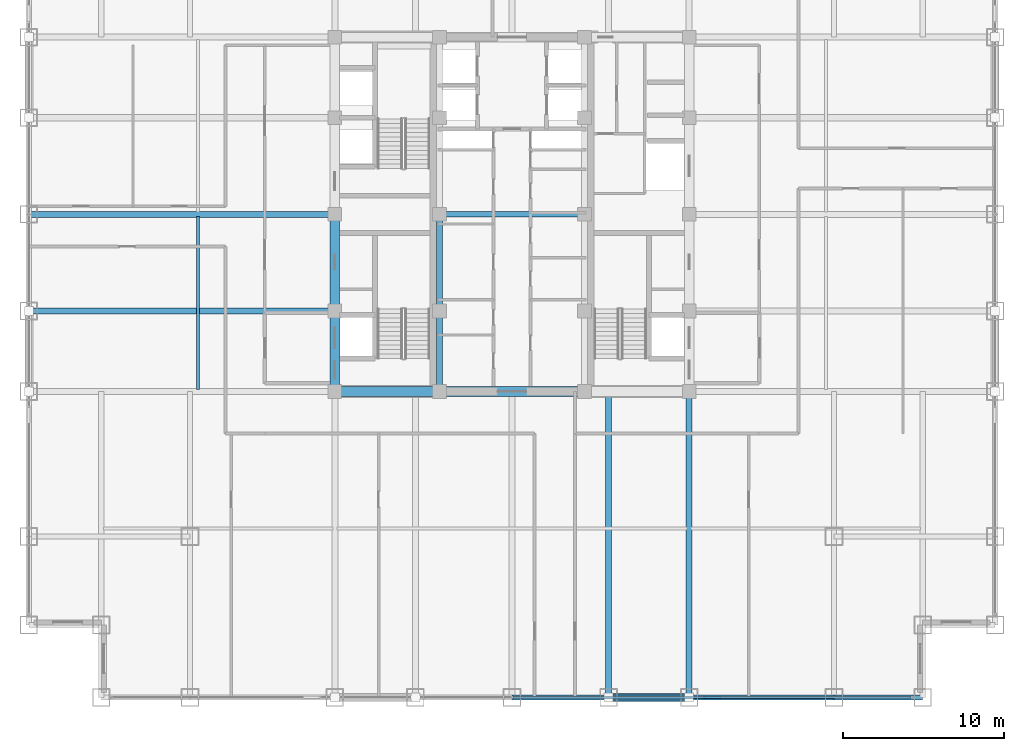
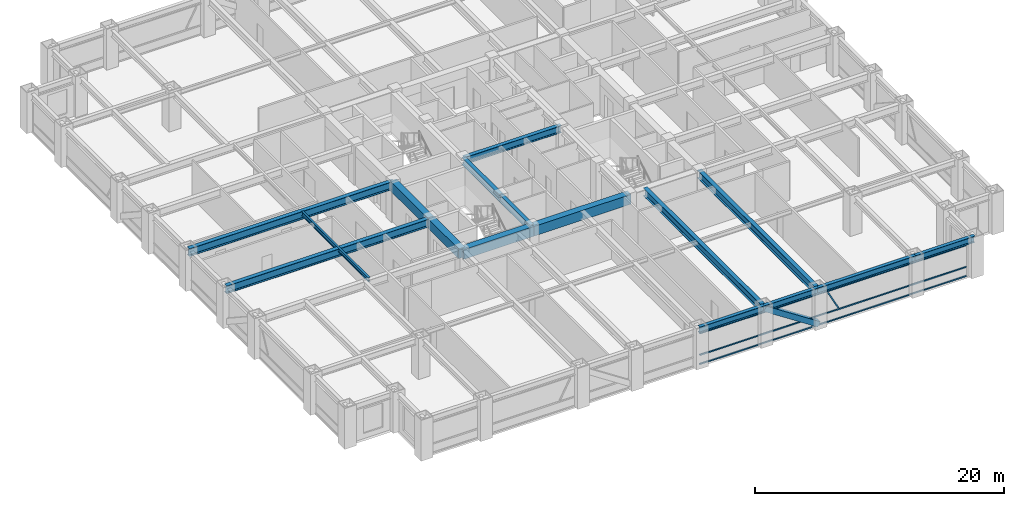
# One storey, part 7 of 24: 16 beams, 5 members, 1 element without a shape of its own.
"""IFC4 building model written with IfcOpenShell, lengths in metres."""

from ifc_helpers import new_model, si_unit, direction, frame, origin, origin_2d, place, context, subcontext, project, spatial, rectangle, hollow_rectangle, i_section, extrude, source, transform, mapped, material, material_profile, profile_set, type_object, element, aggregate, save


model = new_model("IFC4")

# Units and contexts
model_context = context("Model", 3, precision=1e-05, world=origin(), true_north=direction((0.0, 1.0)))
body_context = subcontext(model_context, "Body", "Model", "MODEL_VIEW")
ifc_project = project(units=[si_unit("LENGTHUNIT", "METRE"), si_unit("AREAUNIT", "SQUARE_METRE"), si_unit("VOLUMEUNIT", "CUBIC_METRE"), si_unit("PLANEANGLEUNIT", "RADIAN"), si_unit("MASSUNIT", "GRAM", prefix="KILO")], contexts=[model_context])

# Site, building, storey
site_placement = place(None, origin())
site = spatial("IfcSite", under=ifc_project, at=site_placement, CompositionType="ELEMENT")
building_placement = place(site_placement, origin())
building = spatial("IfcBuilding", under=site, at=building_placement, Name="Khorayat Bourse Tower", CompositionType="ELEMENT")
storey_placement = place(building_placement, frame((0.0, 0.0, 203.10009765625)))
storey = spatial("IfcBuildingStorey", under=building, at=storey_placement, Name="L47", CompositionType="ELEMENT", Elevation=203.10009765625)

# Beams
ifc_material_1 = material(Name="Steel ASTM A992 Grade 50", Category="steel")
ifc_material_profile_1 = material_profile(ifc_material_1, i_section(OverallWidth=0.35498046875, OverallDepth=0.695068359375, WebThickness=0.015380859375, FlangeThickness=0.02490234375, FilletRadius=0.01806640625, at=origin_2d()), Name="W690X217")
ifc_profile_set_1 = profile_set([ifc_material_profile_1], Name="Steel ASTM A992 Grade 50")
beam_type_1 = type_object("IfcBeamType", Name="BM-GIRD-690", PredefinedType="BEAM", material=ifc_profile_set_1)
shared_shape_1 = source(origin(), body_context, "Body", "SweptSolid", [
    extrude(i_section(OverallWidth=0.35498046875, OverallDepth=0.695068359375, WebThickness=0.015380859375, FlangeThickness=0.02490234375, FilletRadius=0.01806640625, at=origin_2d()), origin(), (0.0, 0.0, 1.0), 5.0),
])
beam_1_placement = place(storey_placement, frame((-4.5, -11.0, 3.432373046875), z_axis=(0.0, 1.0, 0.0), x_axis=(-1.0, 0.0, 0.0)))
element("IfcBeam", 1, at=beam_1_placement, inside=storey, type_object=beam_type_1, Name="L47 BM-GIRD-690 BM-L47-CRX-05", PredefinedType="BEAM", context=body_context, shape_type="MappedRepresentation", body=[
    mapped(shared_shape_1, transform((0.0, 0.0, 0.0), scale=1.0)),
])
shared_shape_2 = source(origin(), body_context, "Body", "SweptSolid", [
    extrude(i_section(OverallWidth=0.35498046875, OverallDepth=0.695068359375, WebThickness=0.015380859375, FlangeThickness=0.02490234375, FilletRadius=0.01806640625, at=origin_2d()), origin(), (0.0, 0.0, 1.0), 6.0),
])
beam_2_placement = place(storey_placement, frame((-4.5, -6.0, 3.432373046875), z_axis=(0.0, 1.0, 0.0), x_axis=(-1.0, 0.0, 0.0)))
element("IfcBeam", 2, at=beam_2_placement, inside=storey, type_object=beam_type_1, Name="L47 BM-GIRD-690 BM-L47-CRX-06", PredefinedType="BEAM", context=body_context, shape_type="MappedRepresentation", body=[
    mapped(shared_shape_2, transform((0.0, 0.0, 0.0), scale=1.0)),
])
shared_shape_3 = source(origin(), body_context, "Body", "SweptSolid", [
    extrude(i_section(OverallWidth=0.35498046875, OverallDepth=0.695068359375, WebThickness=0.015380859375, FlangeThickness=0.02490234375, FilletRadius=0.01806640625, at=origin_2d()), origin(), (0.0, 0.0, 1.0), 9.0),
])
beam_3_placement = place(storey_placement, frame((-4.5, 0.0, 3.432373046875), z_axis=(1.0, 0.0, 0.0), x_axis=(0.0, 1.0, 0.0)))
element("IfcBeam", 3, at=beam_3_placement, inside=storey, type_object=beam_type_1, Name="L47 BM-GIRD-690 BM-L47-CRY-23", PredefinedType="BEAM", context=body_context, shape_type="MappedRepresentation", body=[
    mapped(shared_shape_3, transform((0.0, 0.0, 0.0), scale=1.0)),
])
ifc_material_profile_2 = material_profile(ifc_material_1, i_section(OverallWidth=0.381103515625, OverallDepth=0.77294921875, WebThickness=0.0166015625, FlangeThickness=0.027587890625, FilletRadius=0.01806640625, at=origin_2d()), Name="W760X257")
ifc_profile_set_2 = profile_set([ifc_material_profile_2], Name="Steel ASTM A992 Grade 50")
beam_type_2 = type_object("IfcBeamType", Name="BM-GIRD-760", PredefinedType="BEAM", material=ifc_profile_set_2)
shared_shape_4 = source(origin(), body_context, "Body", "SweptSolid", [
    extrude(i_section(OverallWidth=0.381103515625, OverallDepth=0.77294921875, WebThickness=0.0166015625, FlangeThickness=0.027587890625, FilletRadius=0.01806640625, at=origin_2d()), origin(), (0.0, 0.0, 1.0), 19.0),
])
for number, where, z_axis, x_axis, name in (
    (4, (6.0, -30.0, 3.393310546875), (0.0, 1.0, 0.0), (-1.0, 0.0, 0.0), "L47 BM-GIRD-760 BM-L47-RADY-071"),
    (5, (11.0, -30.0, 3.393310546875), (0.0, 1.0, 0.0), (-1.0, 0.0, 0.0), "L47 BM-GIRD-760 BM-L47-RADY-073"),
    (6, (-30.0, -6.0, 3.393310546875), (1.0, 0.0, 0.0), (0.0, 1.0, 0.0), "L47 BM-GIRD-760 BM-L47-RADX-077"),
    (7, (-30.0, 0.0, 3.393310546875), (1.0, 0.0, 0.0), (0.0, 1.0, 0.0), "L47 BM-GIRD-760 BM-L47-RADX-079"),
):
    element("IfcBeam", number, at=place(storey_placement, frame(where, z_axis=z_axis, x_axis=x_axis)), inside=storey, type_object=beam_type_2, Name=name, PredefinedType="BEAM", context=body_context, shape_type="MappedRepresentation", body=[
        mapped(shared_shape_4, transform((0.0, 0.0, 0.0), scale=1.0)),
    ])
ifc_material_profile_3 = material_profile(ifc_material_1, i_section(OverallWidth=0.180908203125, OverallDepth=0.4169921875, WebThickness=0.010986328125, FlangeThickness=0.018310546875, FilletRadius=0.011962890625, at=origin_2d()), Name="W410X85")
ifc_profile_set_3 = profile_set([ifc_material_profile_3], Name="Steel ASTM A992 Grade 50")
beam_type_3 = type_object("IfcBeamType", Name="BM-JOIST-410", PredefinedType="JOIST", material=ifc_profile_set_3)
shared_shape_5 = source(origin(), body_context, "Body", "SweptSolid", [
    extrude(i_section(OverallWidth=0.180908203125, OverallDepth=0.4169921875, WebThickness=0.010986328125, FlangeThickness=0.018310546875, FilletRadius=0.011962890625, at=origin_2d()), origin(), (0.0, 0.0, 1.0), 10.740234375),
])
beam_4_placement = place(storey_placement, frame((-19.5, -10.8701171875, 3.5712890625), z_axis=(0.0, 1.0, 0.0), x_axis=(-1.0, 0.0, 0.0)))
element("IfcBeam", 8, at=beam_4_placement, inside=storey, type_object=beam_type_3, Name="L47 BM-JOIST-410 BM-L47-JSTY-102", PredefinedType="JOIST", context=body_context, shape_type="MappedRepresentation", body=[
    mapped(shared_shape_5, transform((0.0, 0.0, 0.0), scale=1.0)),
])
ifc_material_profile_4 = material_profile(ifc_material_1, i_section(OverallWidth=0.324951171875, OverallDepth=0.615966796875, WebThickness=0.013916015625, FlangeThickness=0.021484375, FilletRadius=0.01611328125, at=origin_2d()), Name="W610X174")
ifc_profile_set_4 = profile_set([ifc_material_profile_4], Name="Steel ASTM A992 Grade 50")
beam_type_4 = type_object("IfcBeamType", Name="BM-SPAN-610", PredefinedType="SPANDREL", material=ifc_profile_set_4)
shared_shape_6 = source(origin(), body_context, "Body", "SweptSolid", [
    extrude(i_section(OverallWidth=0.324951171875, OverallDepth=0.615966796875, WebThickness=0.013916015625, FlangeThickness=0.021484375, FilletRadius=0.01611328125, at=origin_2d()), origin(), (0.0, 0.0, 1.0), 5.5),
])
beam_5_placement = place(storey_placement, frame((20.0, -30.0, 3.471923828125), z_axis=(1.0, 0.0, 0.0), x_axis=(0.0, 1.0, 0.0)))
element("IfcBeam", 9, at=beam_5_placement, inside=storey, type_object=beam_type_4, Name="L47 BM-SPAN-610 BM-L47-SPN-031", PredefinedType="SPANDREL", context=body_context, shape_type="MappedRepresentation", body=[
    mapped(shared_shape_6, transform((0.0, 0.0, 0.0), scale=1.0)),
])
shared_shape_7 = source(origin(), body_context, "Body", "SweptSolid", [
    extrude(i_section(OverallWidth=0.324951171875, OverallDepth=0.615966796875, WebThickness=0.013916015625, FlangeThickness=0.021484375, FilletRadius=0.01611328125, at=origin_2d()), origin(), (0.0, 0.0, 1.0), 9.0),
])
beam_6_placement = place(storey_placement, frame((11.0, -30.0, 3.471923828125), z_axis=(1.0, 0.0, 0.0), x_axis=(0.0, 1.0, 0.0)))
element("IfcBeam", 10, at=beam_6_placement, inside=storey, type_object=beam_type_4, Name="L47 BM-SPAN-610 BM-L47-SPN-030", PredefinedType="SPANDREL", context=body_context, shape_type="MappedRepresentation", body=[
    mapped(shared_shape_7, transform((0.0, 0.0, 0.0), scale=1.0)),
])
shared_shape_8 = source(origin(), body_context, "Body", "SweptSolid", [
    extrude(i_section(OverallWidth=0.324951171875, OverallDepth=0.615966796875, WebThickness=0.013916015625, FlangeThickness=0.021484375, FilletRadius=0.01611328125, at=origin_2d()), origin(), (0.0, 0.0, 1.0), 5.0),
])
beam_7_placement = place(storey_placement, frame((6.0, -30.0, 3.471923828125), z_axis=(1.0, 0.0, 0.0), x_axis=(0.0, 1.0, 0.0)))
element("IfcBeam", 11, at=beam_7_placement, inside=storey, type_object=beam_type_4, Name="L47 BM-SPAN-610 BM-L47-SPN-029", PredefinedType="SPANDREL", context=body_context, shape_type="MappedRepresentation", body=[
    mapped(shared_shape_8, transform((0.0, 0.0, 0.0), scale=1.0)),
])
shared_shape_9 = source(origin(), body_context, "Body", "SweptSolid", [
    extrude(i_section(OverallWidth=0.324951171875, OverallDepth=0.615966796875, WebThickness=0.013916015625, FlangeThickness=0.021484375, FilletRadius=0.01611328125, at=origin_2d()), origin(), (0.0, 0.0, 1.0), 6.0),
])
beam_8_placement = place(storey_placement, frame((0.0, -30.0, 3.471923828125), z_axis=(1.0, 0.0, 0.0), x_axis=(0.0, 1.0, 0.0)))
element("IfcBeam", 12, at=beam_8_placement, inside=storey, type_object=beam_type_4, Name="L47 BM-SPAN-610 BM-L47-SPN-028", PredefinedType="SPANDREL", context=body_context, shape_type="MappedRepresentation", body=[
    mapped(shared_shape_9, transform((0.0, 0.0, 0.0), scale=1.0)),
])

# Member
ifc_material_2 = material(Name="Steel EN 10025-4 S460M", Category="steel")
ifc_material_profile_5 = material_profile(ifc_material_2, hollow_rectangle(XDim=0.5, YDim=0.5, WallThickness=0.028076171875, at=origin_2d()), Name="HSS 500x500x28")
ifc_profile_set_5 = profile_set([ifc_material_profile_5], Name="Steel EN 10025-4 S460M")
member_type_1 = type_object("IfcMemberType", Name="MBR-TUBE-500", PredefinedType="BRACE", material=ifc_profile_set_5)
shared_shape_10 = source(origin(), body_context, "Body", "SweptSolid", [
    extrude(hollow_rectangle(XDim=0.5, YDim=0.5, WallThickness=0.028076171875, at=origin_2d()), origin(), (0.0, 0.0, 1.0), 5.979736328125),
])
member_1_placement = place(storey_placement, frame((6.0, -30.0, 3.52978515625), z_axis=(0.836160261256, 0.0, -0.548485202623), x_axis=(0.0, 1.0, 0.0)))
element("IfcMember", 13, at=member_1_placement, inside=storey, type_object=member_type_1, Name="L47 Perimeter Tube Brace 02", PredefinedType="BRACE", context=body_context, shape_type="MappedRepresentation", body=[
    mapped(shared_shape_10, transform((0.0, 0.0, 0.0), scale=1.0)),
])

# Beams
ifc_material_3 = material(Name="Concrete C60/75", Category="concrete")
ifc_material_profile_6 = material_profile(ifc_material_3, rectangle(XDim=0.60009765625, YDim=0.949951171875, at=origin_2d()), Name="RC 600x950")
ifc_profile_set_6 = profile_set([ifc_material_profile_6], Name="Concrete C60/75")
beam_type_5 = type_object("IfcBeamType", Name="BM-COUP-950", PredefinedType="BEAM", material=ifc_profile_set_6)
shared_shape_11 = source(origin(), body_context, "Body", "SweptSolid", [
    extrude(rectangle(XDim=0.60009765625, YDim=0.949951171875, at=origin_2d()), origin(), (0.0, 0.0, 1.0), 5.0),
])
beam_9_placement = place(storey_placement, frame((-11.0, -11.0, 3.304931640625), z_axis=(0.0, 1.0, 0.0), x_axis=(-1.0, 0.0, 0.0)))
element("IfcBeam", 14, at=beam_9_placement, inside=storey, type_object=beam_type_5, Name="L47 BM-COUP-950 BM-L47-CRX-01", PredefinedType="BEAM", context=body_context, shape_type="MappedRepresentation", body=[
    mapped(shared_shape_11, transform((0.0, 0.0, 0.0), scale=1.0)),
])
shared_shape_12 = source(origin(), body_context, "Body", "SweptSolid", [
    extrude(rectangle(XDim=0.60009765625, YDim=0.949951171875, at=origin_2d()), origin(), (0.0, 0.0, 1.0), 6.0),
])
beam_10_placement = place(storey_placement, frame((-11.0, -6.0, 3.304931640625), z_axis=(0.0, 1.0, 0.0), x_axis=(-1.0, 0.0, 0.0)))
element("IfcBeam", 15, at=beam_10_placement, inside=storey, type_object=beam_type_5, Name="L47 BM-COUP-950 BM-L47-CRX-02", PredefinedType="BEAM", context=body_context, shape_type="MappedRepresentation", body=[
    mapped(shared_shape_12, transform((0.0, 0.0, 0.0), scale=1.0)),
])
shared_shape_13 = source(origin(), body_context, "Body", "SweptSolid", [
    extrude(rectangle(XDim=0.60009765625, YDim=0.949951171875, at=origin_2d()), origin(), (0.0, 0.0, 1.0), 6.5),
])
beam_11_placement = place(storey_placement, frame((-11.0, -11.0, 3.304931640625), z_axis=(1.0, 0.0, 0.0), x_axis=(0.0, 1.0, 0.0)))
element("IfcBeam", 16, at=beam_11_placement, inside=storey, type_object=beam_type_5, Name="L47 BM-COUP-950 BM-L47-CRY-17", PredefinedType="BEAM", context=body_context, shape_type="MappedRepresentation", body=[
    mapped(shared_shape_13, transform((0.0, 0.0, 0.0), scale=1.0)),
])
shared_shape_14 = source(origin(), body_context, "Body", "SweptSolid", [
    extrude(rectangle(XDim=0.60009765625, YDim=0.949951171875, at=origin_2d()), origin(), (0.0, 0.0, 1.0), 9.0),
])
beam_12_placement = place(storey_placement, frame((-4.5, -11.0, 3.304931640625), z_axis=(1.0, 0.0, 0.0), x_axis=(0.0, 1.0, 0.0)))
element("IfcBeam", 17, at=beam_12_placement, inside=storey, type_object=beam_type_5, Name="L47 BM-COUP-950 BM-L47-CRY-18", PredefinedType="BEAM", context=body_context, shape_type="MappedRepresentation", body=[
    mapped(shared_shape_14, transform((0.0, 0.0, 0.0), scale=1.0)),
])

# Curtain wall, members
ifc_material_4 = material(Name="Aluminium EN AW-6063 T6", Category="aluminium")
curtain_wall_type = type_object("IfcCurtainWallType", Name="CW-SYS-03", PredefinedType="NOTDEFINED", material=ifc_material_4)
curtain_wall_placement = place(storey_placement, origin())
curtain_wall = element("IfcCurtainWall", 18, at=curtain_wall_placement, inside=storey, type_object=curtain_wall_type, Name="L47 Curtain Wall CW-L47-S1", PredefinedType="NOTDEFINED")
ifc_material_profile_7 = material_profile(ifc_material_4, hollow_rectangle(XDim=0.1201171875, YDim=0.1201171875, WallThickness=0.0048828125, at=origin_2d()), Name="ALU 120x120x5")
ifc_profile_set_7 = profile_set([ifc_material_profile_7], Name="Aluminium EN AW-6063 T6")
member_type_2 = type_object("IfcMemberType", Name="CWM-DIAG-120", PredefinedType="MULLION", material=ifc_profile_set_7)
shared_shape_15 = source(origin(), body_context, "Body", "SweptSolid", [
    extrude(hollow_rectangle(XDim=0.1201171875, YDim=0.1201171875, WallThickness=0.0048828125, at=origin_2d()), origin(), (0.0, 0.0, 1.0), 2.079345703125),
])
member_2_placement = place(storey_placement, frame((12.904296875, -30.0, 1.08984375), z_axis=(-0.465760949701, 0.0, 0.884910581773), x_axis=(0.0, -1.0, 0.0)))
member_2 = element("IfcMember", 19, at=member_2_placement, type_object=member_type_2, Name="CW-L47-S1 Faceted Diagonal Mullion 2", PredefinedType="MULLION", context=body_context, shape_type="MappedRepresentation", body=[
    mapped(shared_shape_15, transform((0.0, 0.0, 0.0), scale=1.0)),
])
ifc_material_profile_8 = material_profile(ifc_material_4, hollow_rectangle(XDim=0.1201171875, YDim=0.1201171875, WallThickness=0.0048828125, at=origin_2d()), Name="ALU 120x120x5")
ifc_profile_set_8 = profile_set([ifc_material_profile_8], Name="Aluminium EN AW-6063 T6")
member_type_3 = type_object("IfcMemberType", Name="CWT-HORZ-120", PredefinedType="USERDEFINED", material=ifc_profile_set_8)
shared_shape_16 = source(origin(), body_context, "Body", "SweptSolid", [
    extrude(hollow_rectangle(XDim=0.1201171875, YDim=0.1201171875, WallThickness=0.0048828125, at=origin_2d()), origin(), (0.0, 0.0, 1.0), 24.719970703125),
])
member_3_placement = place(storey_placement, frame((0.06005859375, -30.0, 0.059814453125), z_axis=(1.0, 0.0, 0.0), x_axis=(0.0, 1.0, 0.0)))
member_3 = element("IfcMember", 20, at=member_3_placement, type_object=member_type_3, Name="CW-L47-S1 Horizontal Transom 2-1", ObjectType="TRANSOM", PredefinedType="USERDEFINED", context=body_context, shape_type="MappedRepresentation", body=[
    mapped(shared_shape_16, transform((0.0, 0.0, 0.0), scale=1.0)),
])
member_4_placement = place(storey_placement, frame((0.06005859375, -30.0, 0.949951171875), z_axis=(1.0, 0.0, 0.0), x_axis=(0.0, 1.0, 0.0)))
member_4 = element("IfcMember", 21, at=member_4_placement, type_object=member_type_3, Name="CW-L47-S1 Horizontal Transom 2-2", ObjectType="TRANSOM", PredefinedType="USERDEFINED", context=body_context, shape_type="MappedRepresentation", body=[
    mapped(shared_shape_16, transform((0.0, 0.0, 0.0), scale=1.0)),
])
member_5_placement = place(storey_placement, frame((0.06005859375, -30.0, 3.06982421875), z_axis=(1.0, 0.0, 0.0), x_axis=(0.0, 1.0, 0.0)))
member_5 = element("IfcMember", 22, at=member_5_placement, type_object=member_type_3, Name="CW-L47-S1 Horizontal Transom 2-3", ObjectType="TRANSOM", PredefinedType="USERDEFINED", context=body_context, shape_type="MappedRepresentation", body=[
    mapped(shared_shape_16, transform((0.0, 0.0, 0.0), scale=1.0)),
])
aggregate(curtain_wall, [member_3, member_4, member_5, member_2])

save(model, "model.ifc")
